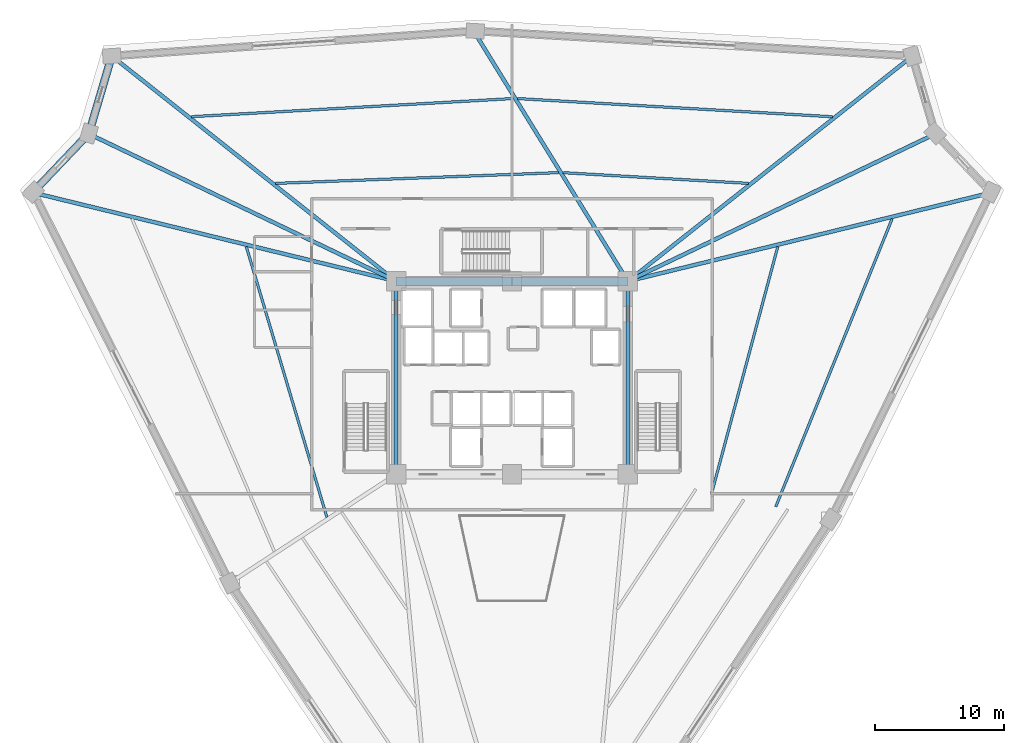
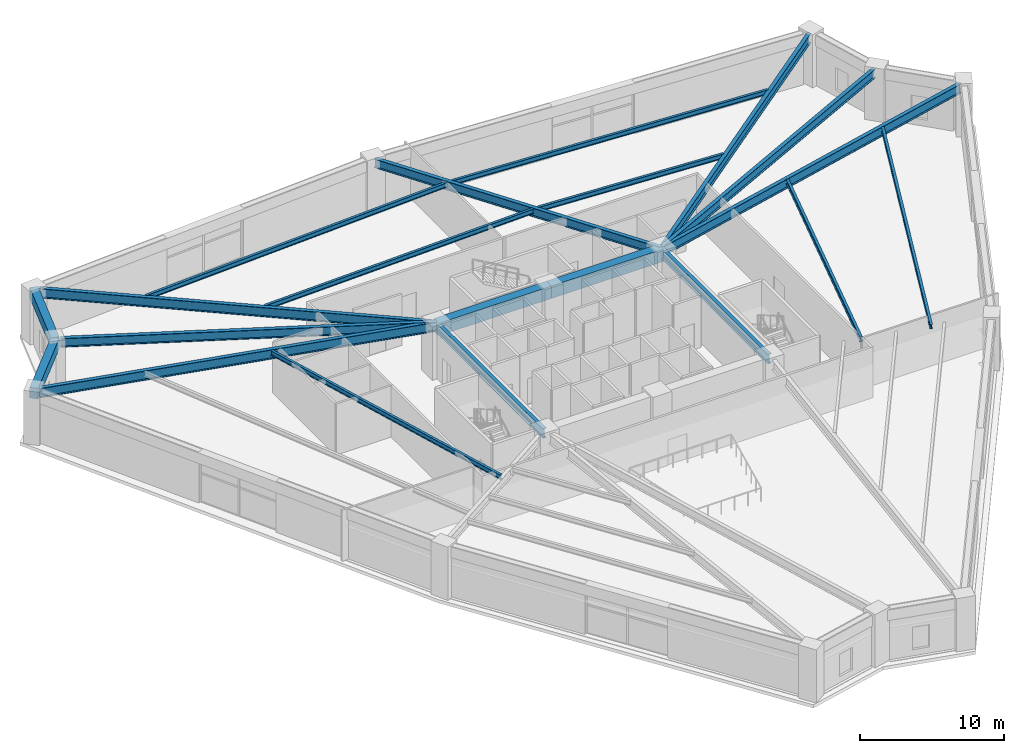
# One storey, part 13 of 30: 20 beams.
"""IFC4 building model written with IfcOpenShell, lengths in metres."""

from ifc_helpers import new_model, si_unit, direction, frame, origin, origin_2d, place, context, subcontext, project, spatial, rectangle, i_section, extrude, source, transform, mapped, material, material_profile, profile_set, type_object, element, save


model = new_model("IFC4")

# Units and contexts
model_context = context("Model", 3, precision=1e-05, world=origin(), true_north=direction((0.0, 1.0)))
body_context = subcontext(model_context, "Body", "Model", "MODEL_VIEW")
ifc_project = project(units=[si_unit("LENGTHUNIT", "METRE"), si_unit("AREAUNIT", "SQUARE_METRE"), si_unit("VOLUMEUNIT", "CUBIC_METRE"), si_unit("PLANEANGLEUNIT", "RADIAN"), si_unit("MASSUNIT", "GRAM", prefix="KILO")], contexts=[model_context])

# Site, building, storey
site_placement = place(None, origin())
site = spatial("IfcSite", under=ifc_project, at=site_placement, CompositionType="ELEMENT")
building_placement = place(site_placement, origin())
building = spatial("IfcBuilding", under=site, at=building_placement, Name="Liaohun Quay Tower", CompositionType="ELEMENT")
storey_placement = place(building_placement, frame((0.0, 0.0, 97.5)))
storey = spatial("IfcBuildingStorey", under=building, at=storey_placement, Name="L25", CompositionType="ELEMENT", Elevation=97.5)

# Beams
ifc_material_1 = material(Name="Concrete C60", Category="concrete")
ifc_material_profile_1 = material_profile(ifc_material_1, rectangle(XDim=0.699951171875, YDim=1.050048828125, at=origin_2d()), Name="RC700x1050")
ifc_profile_set_1 = profile_set([ifc_material_profile_1], Name="Concrete C60")
beam_type_1 = type_object("IfcBeamType", Name="BM-CPL-1", PredefinedType="LINTEL", material=ifc_profile_set_1)
shared_shape_1 = source(origin(), body_context, "Body", "SweptSolid", [
    extrude(rectangle(XDim=0.699951171875, YDim=1.050048828125, at=origin_2d()), origin(), (0.0, 0.0, 1.0), 9.0),
])
for number, where, z_axis, x_axis, name in (
    (1, (69.0, 61.5, 3.794921875), (-1.0, 0.0, 0.0), (0.0, -1.0, 0.0), "L25 Core Coupling/Ring Beam CC4-CC5"),
    (2, (60.0, 61.5, 3.794921875), (-1.0, 0.0, 0.0), (0.0, -1.0, 0.0), "L25 Core Coupling/Ring Beam CC5-CC6"),
):
    element("IfcBeam", number, at=place(storey_placement, frame(where, z_axis=z_axis, x_axis=x_axis)), inside=storey, type_object=beam_type_1, Name=name, PredefinedType="LINTEL", context=body_context, shape_type="MappedRepresentation", body=[
        mapped(shared_shape_1, transform((0.0, 0.0, 0.0), x_axis=(1.0, 0.0, 0.0), y_axis=(0.0, 1.0, 0.0), z_axis=(0.0, 0.0, 1.0), scale=1.0)),
    ])
ifc_material_2 = material(Name="Steel Q355D", Category="steel")
ifc_material_profile_2 = material_profile(ifc_material_2, i_section(OverallWidth=0.300048828125, OverallDepth=0.800048828125, WebThickness=0.013916015625, FlangeThickness=0.02587890625, at=origin_2d()), Name="HN800x300x14x26")
ifc_profile_set_2 = profile_set([ifc_material_profile_2], Name="Steel Q355D")
beam_type_2 = type_object("IfcBeamType", Name="BM-RAD-M1", PredefinedType="BEAM", material=ifc_profile_set_2)
shared_shape_2 = source(origin(), body_context, "Body", "SweptSolid", [
    extrude(i_section(OverallWidth=0.300048828125, OverallDepth=0.800048828125, WebThickness=0.013916015625, FlangeThickness=0.02587890625, at=origin_2d()), origin(), (0.0, 0.0, 1.0), 15.0),
])
for number, where, z_axis, x_axis, name in (
    (3, (69.0, 46.5, 3.919921875), (0.0, 1.0, 0.0), (-1.0, 0.0, 0.0), "L25 Core Coupling/Ring Beam CC3-CC4"),
    (4, (51.0, 61.5, 3.919921875), (0.0, -1.0, 0.0), (1.0, 0.0, 0.0), "L25 Core Coupling/Ring Beam CC6-CC1"),
):
    element("IfcBeam", number, at=place(storey_placement, frame(where, z_axis=z_axis, x_axis=x_axis)), inside=storey, type_object=beam_type_2, Name=name, PredefinedType="BEAM", context=body_context, shape_type="MappedRepresentation", body=[
        mapped(shared_shape_2, transform((0.0, 0.0, 0.0), x_axis=(1.0, 0.0, 0.0), y_axis=(0.0, 1.0, 0.0), z_axis=(0.0, 0.0, 1.0), scale=1.0)),
    ])
ifc_material_3 = material(Name="Precast concrete C55", Category="concrete")
ifc_material_profile_3 = material_profile(ifc_material_3, rectangle(XDim=0.60009765625, YDim=0.89990234375, at=origin_2d()), Name="RC600x900")
ifc_profile_set_3 = profile_set([ifc_material_profile_3], Name="Precast concrete C55")
beam_type_3 = type_object("IfcBeamType", Name="BM-SPD-Z2", PredefinedType="SPANDREL", material=ifc_profile_set_3)
shared_shape_3 = source(origin(), body_context, "Body", "SweptSolid", [
    extrude(rectangle(XDim=0.60009765625, YDim=0.89990234375, at=origin_2d()), origin(), (0.0, 0.0, 1.0), 6.276123046875),
])
beam_1_placement = place(storey_placement, frame((22.802001953125, 68.431884765625, 3.8701171875), z_axis=(0.689265565844, 0.724508785137, 0.0), x_axis=(-0.724508785137, 0.689265565844, 0.0)))
element("IfcBeam", 5, at=beam_1_placement, inside=storey, type_object=beam_type_3, Name="L25 Precast Spandrel Beam PC03-PC04", PredefinedType="SPANDREL", context=body_context, shape_type="MappedRepresentation", body=[
    mapped(shared_shape_3, transform((0.0, 0.0, 0.0), x_axis=(1.0, 0.0, 0.0), y_axis=(0.0, 1.0, 0.0), z_axis=(0.0, 0.0, 1.0), scale=1.0)),
])
shared_shape_4 = source(origin(), body_context, "Body", "SweptSolid", [
    extrude(rectangle(XDim=0.60009765625, YDim=0.89990234375, at=origin_2d()), origin(), (0.0, 0.0, 1.0), 6.28369140625),
])
beam_2_placement = place(storey_placement, frame((27.1279296875, 72.97900390625, 3.8701171875), z_axis=(0.282814146848, 0.959174727744, 0.0), x_axis=(-0.959174727744, 0.282814146848, 0.0)))
element("IfcBeam", 6, at=beam_2_placement, inside=storey, type_object=beam_type_3, Name="L25 Precast Spandrel Beam PC04-PC05", PredefinedType="SPANDREL", context=body_context, shape_type="MappedRepresentation", body=[
    mapped(shared_shape_4, transform((0.0, 0.0, 0.0), x_axis=(1.0, 0.0, 0.0), y_axis=(0.0, 1.0, 0.0), z_axis=(0.0, 0.0, 1.0), scale=1.0)),
])
shared_shape_5 = source(origin(), body_context, "Body", "SweptSolid", [
    extrude(i_section(OverallWidth=0.300048828125, OverallDepth=0.800048828125, WebThickness=0.013916015625, FlangeThickness=0.02587890625, at=origin_2d()), origin(), (0.0, 0.0, 1.0), 28.65283203125),
])
beam_3_placement = place(storey_placement, frame((51.0, 61.5, 3.919921875), z_axis=(-0.971490477699, 0.237078577143, 0.0), x_axis=(-0.237078577143, -0.971490477699, 0.0)))
element("IfcBeam", 7, at=beam_3_placement, inside=storey, type_object=beam_type_2, Name="L25 Radial Primary Girder CC6-PC03", PredefinedType="BEAM", context=body_context, shape_type="MappedRepresentation", body=[
    mapped(shared_shape_5, transform((0.0, 0.0, 0.0), x_axis=(1.0, 0.0, 0.0), y_axis=(0.0, 1.0, 0.0), z_axis=(0.0, 0.0, 1.0), scale=1.0)),
])
ifc_material_profile_4 = material_profile(ifc_material_2, i_section(OverallWidth=0.300048828125, OverallDepth=0.75, WebThickness=0.013916015625, FlangeThickness=0.02587890625, at=origin_2d()), Name="HN750x300x14x26")
ifc_profile_set_4 = profile_set([ifc_material_profile_4], Name="Steel Q355D")
beam_type_4 = type_object("IfcBeamType", Name="BM-RAD-M2", PredefinedType="BEAM", material=ifc_profile_set_4)
shared_shape_6 = source(origin(), body_context, "Body", "SweptSolid", [
    extrude(i_section(OverallWidth=0.300048828125, OverallDepth=0.75, WebThickness=0.013916015625, FlangeThickness=0.02587890625, at=origin_2d()), origin(), (0.0, 0.0, 1.0), 26.120849609375),
])
for number, where, z_axis, x_axis, name in (
    (8, (51.0, 61.5, 3.945068359375), (-0.901694507085, 0.432373699354, 0.0), (-0.432373699354, -0.901694507085, 0.0), "L25 Radial Primary Girder CC6-PC04"),
    (9, (69.0, 61.5, 3.945068359375), (0.901694507085, 0.432373699354, 0.0), (-0.432373699354, 0.901694507085, 0.0), "L25 Radial Primary Girder CC4-PC08"),
):
    element("IfcBeam", number, at=place(storey_placement, frame(where, z_axis=z_axis, x_axis=x_axis)), inside=storey, type_object=beam_type_4, Name=name, PredefinedType="BEAM", context=body_context, shape_type="MappedRepresentation", body=[
        mapped(shared_shape_6, transform((0.0, 0.0, 0.0), x_axis=(1.0, 0.0, 0.0), y_axis=(0.0, 1.0, 0.0), z_axis=(0.0, 0.0, 1.0), scale=1.0)),
    ])
shared_shape_7 = source(origin(), body_context, "Body", "SweptSolid", [
    extrude(i_section(OverallWidth=0.300048828125, OverallDepth=0.800048828125, WebThickness=0.013916015625, FlangeThickness=0.02587890625, at=origin_2d()), origin(), (0.0, 0.0, 1.0), 27.801513671875),
])
beam_4_placement = place(storey_placement, frame((51.0, 61.5, 3.919921875), z_axis=(-0.783915460931, 0.620867578565, 0.0), x_axis=(-0.620867578565, -0.783915460931, 0.0)))
element("IfcBeam", 10, at=beam_4_placement, inside=storey, type_object=beam_type_2, Name="L25 Radial Primary Girder CC6-PC05", PredefinedType="BEAM", context=body_context, shape_type="MappedRepresentation", body=[
    mapped(shared_shape_7, transform((0.0, 0.0, 0.0), x_axis=(1.0, 0.0, 0.0), y_axis=(0.0, 1.0, 0.0), z_axis=(0.0, 0.0, 1.0), scale=1.0)),
])
shared_shape_8 = source(origin(), body_context, "Body", "SweptSolid", [
    extrude(i_section(OverallWidth=0.300048828125, OverallDepth=0.75, WebThickness=0.013916015625, FlangeThickness=0.02587890625, at=origin_2d()), origin(), (0.0, 0.0, 1.0), 22.546630859375),
])
beam_5_placement = place(storey_placement, frame((69.0, 61.5, 3.945068359375), z_axis=(-0.524464095376, 0.851432564953, 0.0), x_axis=(-0.851432564953, -0.524464095376, 0.0)))
element("IfcBeam", 11, at=beam_5_placement, inside=storey, type_object=beam_type_4, Name="L25 Radial Primary Girder CC4-PC06", PredefinedType="BEAM", context=body_context, shape_type="MappedRepresentation", body=[
    mapped(shared_shape_8, transform((0.0, 0.0, 0.0), x_axis=(1.0, 0.0, 0.0), y_axis=(0.0, 1.0, 0.0), z_axis=(0.0, 0.0, 1.0), scale=1.0)),
])
shared_shape_9 = source(origin(), body_context, "Body", "SweptSolid", [
    extrude(i_section(OverallWidth=0.300048828125, OverallDepth=0.800048828125, WebThickness=0.013916015625, FlangeThickness=0.02587890625, at=origin_2d()), origin(), (0.0, 0.0, 1.0), 27.798583984375),
])
beam_6_placement = place(storey_placement, frame((69.0, 61.5, 3.919921875), z_axis=(0.784066482117, 0.620676849592, 0.0), x_axis=(-0.620676849592, 0.784066482117, 0.0)))
element("IfcBeam", 12, at=beam_6_placement, inside=storey, type_object=beam_type_2, Name="L25 Radial Primary Girder CC4-PC07", PredefinedType="BEAM", context=body_context, shape_type="MappedRepresentation", body=[
    mapped(shared_shape_9, transform((0.0, 0.0, 0.0), x_axis=(1.0, 0.0, 0.0), y_axis=(0.0, 1.0, 0.0), z_axis=(0.0, 0.0, 1.0), scale=1.0)),
])
shared_shape_10 = source(origin(), body_context, "Body", "SweptSolid", [
    extrude(i_section(OverallWidth=0.300048828125, OverallDepth=0.800048828125, WebThickness=0.013916015625, FlangeThickness=0.02587890625, at=origin_2d()), origin(), (0.0, 0.0, 1.0), 28.65673828125),
])
beam_7_placement = place(storey_placement, frame((69.0, 61.5, 3.919921875), z_axis=(0.971539756758, 0.23687655232, 0.0), x_axis=(-0.23687655232, 0.971539756758, 0.0)))
element("IfcBeam", 13, at=beam_7_placement, inside=storey, type_object=beam_type_2, Name="L25 Radial Primary Girder CC4-PC09", PredefinedType="BEAM", context=body_context, shape_type="MappedRepresentation", body=[
    mapped(shared_shape_10, transform((0.0, 0.0, 0.0), x_axis=(1.0, 0.0, 0.0), y_axis=(0.0, 1.0, 0.0), z_axis=(0.0, 0.0, 1.0), scale=1.0)),
])
ifc_material_profile_5 = material_profile(ifc_material_2, i_section(OverallWidth=0.199951171875, OverallDepth=0.39990234375, WebThickness=0.008056640625, FlangeThickness=0.012939453125, at=origin_2d()), Name="HN400x200x8x13")
ifc_profile_set_5 = profile_set([ifc_material_profile_5], Name="Steel Q355D")
beam_type_5 = type_object("IfcBeamType", Name="BM-SEC-J2", PredefinedType="JOIST", material=ifc_profile_set_5)
shared_shape_11 = source(origin(), body_context, "Body", "SweptSolid", [
    extrude(i_section(OverallWidth=0.199951171875, OverallDepth=0.39990234375, WebThickness=0.008056640625, FlangeThickness=0.012939453125, at=origin_2d()), origin(), (0.0, 0.0, 1.0), 21.933349609375),
])
beam_8_placement = place(storey_placement, frame((45.617919921875, 43.166015625, 4.1201171875), z_axis=(-0.285411109474, 0.958405184976, 0.0), x_axis=(-0.958405184976, -0.285411109474, 0.0)))
element("IfcBeam", 14, at=beam_8_placement, inside=storey, type_object=beam_type_5, Name="L25 Wing Secondary Floor Joist SJ-04", PredefinedType="JOIST", context=body_context, shape_type="MappedRepresentation", body=[
    mapped(shared_shape_11, transform((0.0, 0.0, 0.0), x_axis=(1.0, 0.0, 0.0), y_axis=(0.0, 1.0, 0.0), z_axis=(0.0, 0.0, 1.0), scale=1.0)),
])
shared_shape_12 = source(origin(), body_context, "Body", "SweptSolid", [
    extrude(i_section(OverallWidth=0.199951171875, OverallDepth=0.39990234375, WebThickness=0.008056640625, FlangeThickness=0.012939453125, at=origin_2d()), origin(), (0.0, 0.0, 1.0), 21.999755859375),
])
beam_9_placement = place(storey_placement, frame((41.64111328125, 69.10400390625, 4.1201171875), z_axis=(0.999277832372, 0.037997549009, 0.0), x_axis=(-0.037997549009, 0.999277832372, 0.0)))
element("IfcBeam", 15, at=beam_9_placement, inside=storey, type_object=beam_type_5, Name="L25 Wing Secondary Floor Joist SJ-06", PredefinedType="JOIST", context=body_context, shape_type="MappedRepresentation", body=[
    mapped(shared_shape_12, transform((0.0, 0.0, 0.0), x_axis=(1.0, 0.0, 0.0), y_axis=(0.0, 1.0, 0.0), z_axis=(0.0, 0.0, 1.0), scale=1.0)),
])
shared_shape_13 = source(origin(), body_context, "Body", "SweptSolid", [
    extrude(i_section(OverallWidth=0.199951171875, OverallDepth=0.39990234375, WebThickness=0.008056640625, FlangeThickness=0.012939453125, at=origin_2d()), origin(), (0.0, 0.0, 1.0), 25.02099609375),
])
beam_10_placement = place(storey_placement, frame((35.097900390625, 74.285888671875, 4.1201171875), z_axis=(0.998410569796, 0.05635897551, 0.0), x_axis=(-0.05635897551, 0.998410569796, 0.0)))
element("IfcBeam", 16, at=beam_10_placement, inside=storey, type_object=beam_type_5, Name="L25 Wing Secondary Floor Joist SJ-07", PredefinedType="JOIST", context=body_context, shape_type="MappedRepresentation", body=[
    mapped(shared_shape_13, transform((0.0, 0.0, 0.0), x_axis=(1.0, 0.0, 0.0), y_axis=(0.0, 1.0, 0.0), z_axis=(0.0, 0.0, 1.0), scale=1.0)),
])
shared_shape_14 = source(origin(), body_context, "Body", "SweptSolid", [
    extrude(i_section(OverallWidth=0.199951171875, OverallDepth=0.39990234375, WebThickness=0.008056640625, FlangeThickness=0.012939453125, at=origin_2d()), origin(), (0.0, 0.0, 1.0), 14.408935546875),
])
beam_11_placement = place(storey_placement, frame((63.97998046875, 69.93603515625, 4.1201171875), z_axis=(0.998335348175, -0.057676100629, 0.0), x_axis=(0.057676100629, 0.998335348175, 0.0)))
element("IfcBeam", 17, at=beam_11_placement, inside=storey, type_object=beam_type_5, Name="L25 Wing Secondary Floor Joist SJ-08", PredefinedType="JOIST", context=body_context, shape_type="MappedRepresentation", body=[
    mapped(shared_shape_14, transform((0.0, 0.0, 0.0), x_axis=(1.0, 0.0, 0.0), y_axis=(0.0, 1.0, 0.0), z_axis=(0.0, 0.0, 1.0), scale=1.0)),
])
shared_shape_15 = source(origin(), body_context, "Body", "SweptSolid", [
    extrude(i_section(OverallWidth=0.199951171875, OverallDepth=0.39990234375, WebThickness=0.008056640625, FlangeThickness=0.012939453125, at=origin_2d()), origin(), (0.0, 0.0, 1.0), 24.512939453125),
])
beam_12_placement = place(storey_placement, frame((60.431884765625, 75.695068359375, 4.1201171875), z_axis=(0.998334761419, -0.057686256092, 0.0), x_axis=(0.057686256092, 0.998334761419, 0.0)))
element("IfcBeam", 18, at=beam_12_placement, inside=storey, type_object=beam_type_5, Name="L25 Wing Secondary Floor Joist SJ-09", PredefinedType="JOIST", context=body_context, shape_type="MappedRepresentation", body=[
    mapped(shared_shape_15, transform((0.0, 0.0, 0.0), x_axis=(1.0, 0.0, 0.0), y_axis=(0.0, 1.0, 0.0), z_axis=(0.0, 0.0, 1.0), scale=1.0)),
])
shared_shape_16 = source(origin(), body_context, "Body", "SweptSolid", [
    extrude(i_section(OverallWidth=0.199951171875, OverallDepth=0.39990234375, WebThickness=0.008056640625, FlangeThickness=0.012939453125, at=origin_2d()), origin(), (0.0, 0.0, 1.0), 19.7900390625),
])
beam_13_placement = place(storey_placement, frame((80.64892578125, 64.18603515625, 4.1201171875), z_axis=(-0.258967729361, -0.965885974196, 0.0), x_axis=(0.965885974196, -0.258967729361, 0.0)))
element("IfcBeam", 19, at=beam_13_placement, inside=storey, type_object=beam_type_5, Name="L25 Wing Secondary Floor Joist SJ-10", PredefinedType="JOIST", context=body_context, shape_type="MappedRepresentation", body=[
    mapped(shared_shape_16, transform((0.0, 0.0, 0.0), x_axis=(1.0, 0.0, 0.0), y_axis=(0.0, 1.0, 0.0), z_axis=(0.0, 0.0, 1.0), scale=1.0)),
])
shared_shape_17 = source(origin(), body_context, "Body", "SweptSolid", [
    extrude(i_section(OverallWidth=0.199951171875, OverallDepth=0.39990234375, WebThickness=0.008056640625, FlangeThickness=0.012939453125, at=origin_2d()), origin(), (0.0, 0.0, 1.0), 24.12646484375),
])
beam_14_placement = place(storey_placement, frame((89.532958984375, 66.35205078125, 4.1201171875), z_axis=(-0.374654447943, -0.927164518646, 0.0), x_axis=(0.927164518646, -0.374654447943, 0.0)))
element("IfcBeam", 20, at=beam_14_placement, inside=storey, type_object=beam_type_5, Name="L25 Wing Secondary Floor Joist SJ-11", PredefinedType="JOIST", context=body_context, shape_type="MappedRepresentation", body=[
    mapped(shared_shape_17, transform((0.0, 0.0, 0.0), x_axis=(1.0, 0.0, 0.0), y_axis=(0.0, 1.0, 0.0), z_axis=(0.0, 0.0, 1.0), scale=1.0)),
])

save(model, "model.ifc")
